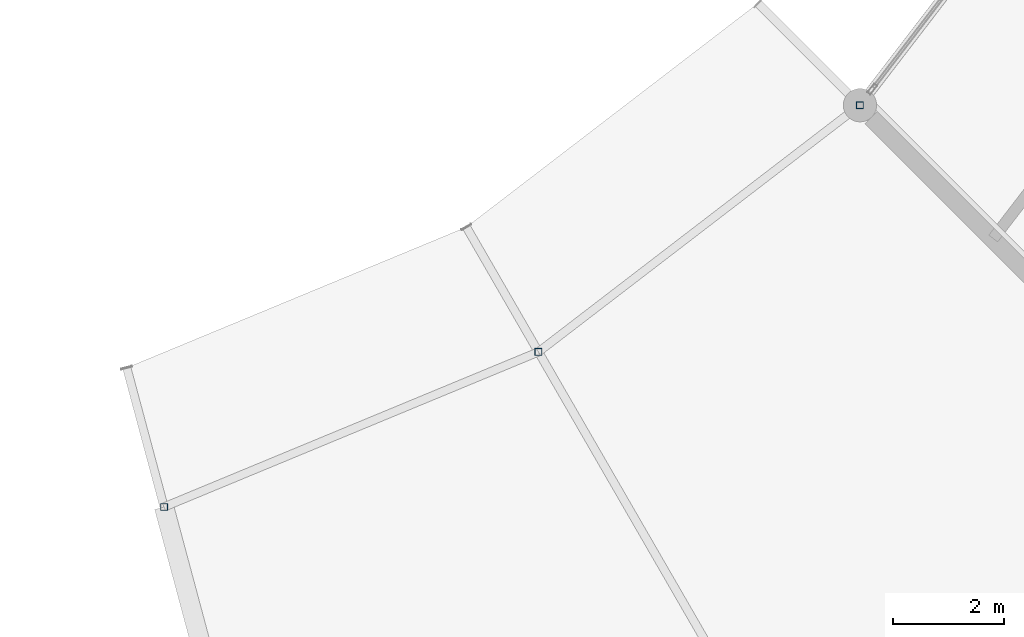
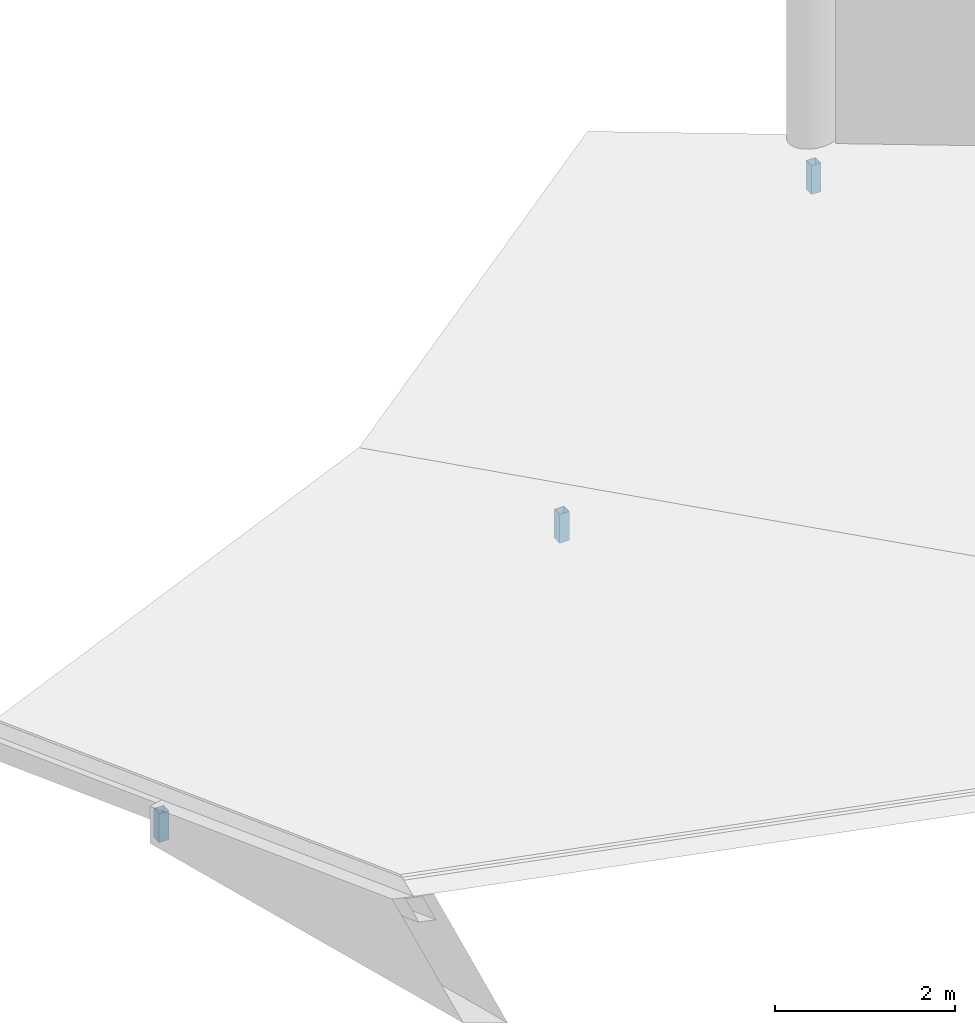
# One storey, part 134 of 185: 3 members.
"""IFC4 building model written with IfcOpenShell, lengths in metres."""

from ifc_helpers import new_model, si_unit, direction, frame, origin, origin_2d, place, context, subcontext, project, spatial, hollow_rectangle, extrude, material, material_profile, profile_set, type_object, element, save


model = new_model("IFC4")

# Units and contexts
model_context = context("Model", 3, precision=1e-05, world=origin(), true_north=direction((0.0, 1.0)))
body_context = subcontext(model_context, "Body", "Model", "MODEL_VIEW")
ifc_project = project(units=[si_unit("LENGTHUNIT", "METRE"), si_unit("AREAUNIT", "SQUARE_METRE"), si_unit("VOLUMEUNIT", "CUBIC_METRE"), si_unit("PLANEANGLEUNIT", "RADIAN"), si_unit("MASSUNIT", "GRAM", prefix="KILO")], contexts=[model_context])

# Site, building, storey
site_placement = place(None, origin())
site = spatial("IfcSite", under=ifc_project, at=site_placement, CompositionType="ELEMENT")
building_placement = place(site_placement, origin())
building = spatial("IfcBuilding", under=site, at=building_placement, Name="Vondelvale Polytechnic", CompositionType="ELEMENT")
storey_placement = place(building_placement, frame((0.0, 0.0, 9.60009765625)))
storey = spatial("IfcBuildingStorey", under=building, at=storey_placement, Name="L02", CompositionType="ELEMENT", Elevation=9.60009765625)

# Members
ifc_material = material(Name="Steel C350L0 (fy = 350 MPa)", Category="steel")
ifc_material_profile = material_profile(ifc_material, hollow_rectangle(XDim=0.125, YDim=0.125, WallThickness=0.006103515625, at=origin_2d()), Name="125x125x6.0SHS")
ifc_profile_set = profile_set([ifc_material_profile], Name="Steel C350L0 (fy = 350 MPa)")
member_type = type_object("IfcMemberType", Name="ROOF TRUSS POST 125SHS", PredefinedType="POST", material=ifc_profile_set)
for number, where, z_axis, x_axis, name in (
    (1, (109.246826171875, 44.9541015625, 0.0), (0.0, 0.0, 1.0), (1.0, 0.0, 0.0), "Ring inner eave post 19"),
    (2, (116.0, 47.751220703125, 0.0), (0.0, 0.0, 1.0), (1.0, 0.0, 0.0), "Ring inner eave post 20"),
    (3, (121.799072265625, 52.200927734375, 0.0), (0.0, 0.0, 1.0), (1.0, 0.0, 0.0), "Ring step inner roof post 20"),
):
    element("IfcMember", number, at=place(storey_placement, frame(where, z_axis=z_axis, x_axis=x_axis)), inside=storey, type_object=member_type, Name=name, PredefinedType="POST", context=body_context, shape_type="SweptSolid", body=[
        extrude(hollow_rectangle(XDim=0.125, YDim=0.125, WallThickness=0.006103515625, at=origin_2d()), origin(), (0.0, 0.0, 1.0), 0.3916015625),
    ])

save(model, "model.ifc")
